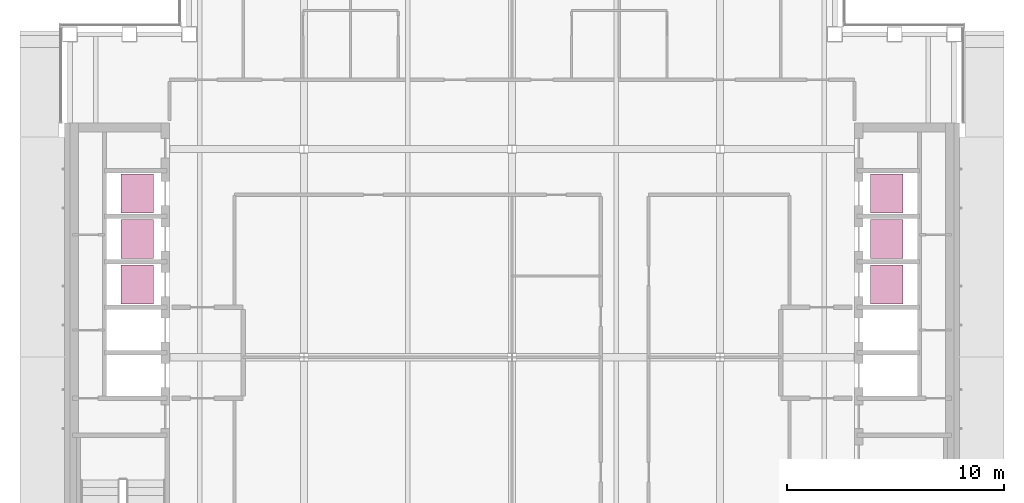
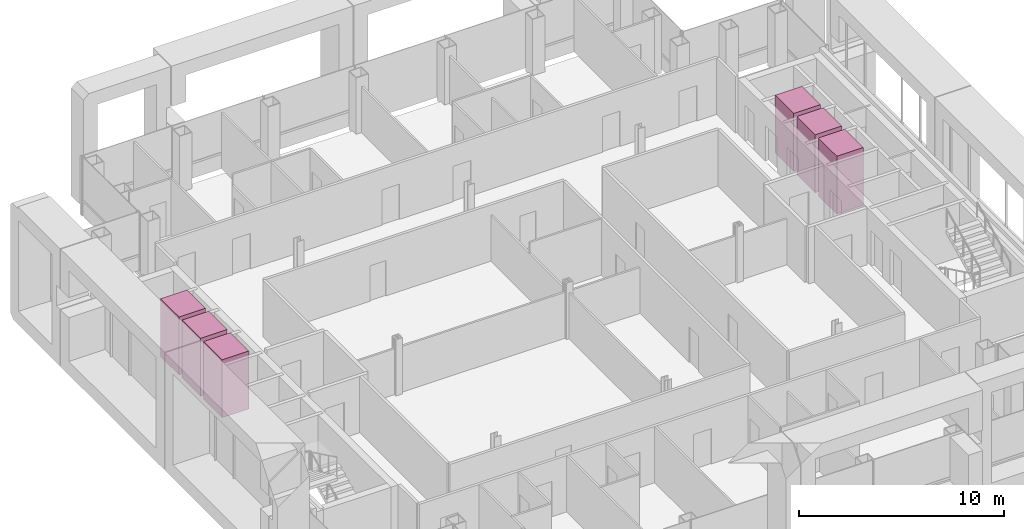
# One storey, part 19 of 19: 6 transport elements.
"""IFC4 building model written with IfcOpenShell, lengths in metres."""

from ifc_helpers import new_model, si_unit, direction, frame, origin, origin_2d, place, context, subcontext, project, spatial, rectangle, extrude, material, type_object, element, save


model = new_model("IFC4")

# Units and contexts
model_context = context("Model", 3, precision=1e-05, world=origin(), true_north=direction((0.0, 1.0)))
body_context = subcontext(model_context, "Body", "Model", "MODEL_VIEW")
ifc_project = project(units=[si_unit("LENGTHUNIT", "METRE"), si_unit("AREAUNIT", "SQUARE_METRE"), si_unit("VOLUMEUNIT", "CUBIC_METRE"), si_unit("PLANEANGLEUNIT", "RADIAN"), si_unit("MASSUNIT", "GRAM", prefix="KILO")], contexts=[model_context])

# Site, building, storey
site_placement = place(None, origin())
site = spatial("IfcSite", under=ifc_project, at=site_placement, CompositionType="ELEMENT")
building_placement = place(site_placement, origin())
building = spatial("IfcBuilding", under=site, at=building_placement, Name="Cobrizo Arcos Hotel Tower", CompositionType="ELEMENT")
storey_placement = place(building_placement, frame((0.0, 0.0, 205.0)))
storey = spatial("IfcBuildingStorey", under=building, at=storey_placement, Name="L53", CompositionType="ELEMENT", Elevation=205.0)

# Transport elements
ifc_material = material(Name="Stainless steel car", Category="steel")
transport_element_type = type_object("IfcTransportElementType", Name="Lift car High 1.8x1.5", PredefinedType="ELEVATOR", material=ifc_material)
for number, where, z_axis, x_axis, name in (
    (1, (-17.300048828125, 3.35009765625, 0.0), (0.0, 0.0, 1.0), (1.0, 0.0, 0.0), "High-rise passenger lift W1"),
    (2, (-17.300048828125, 5.449951171875, 0.0), (0.0, 0.0, 1.0), (1.0, 0.0, 0.0), "High-rise passenger lift W2"),
    (3, (-17.300048828125, 7.550048828125, 0.0), (0.0, 0.0, 1.0), (1.0, 0.0, 0.0), "High-rise passenger lift W3"),
    (4, (17.300048828125, 3.35009765625, 0.0), (0.0, 0.0, 1.0), (1.0, 0.0, 0.0), "High-rise passenger lift E1"),
    (5, (17.300048828125, 5.449951171875, 0.0), (0.0, 0.0, 1.0), (1.0, 0.0, 0.0), "High-rise passenger lift E2"),
    (6, (17.300048828125, 7.550048828125, 0.0), (0.0, 0.0, 1.0), (1.0, 0.0, 0.0), "High-rise passenger lift E3"),
):
    element("IfcTransportElement", number, at=place(storey_placement, frame(where, z_axis=z_axis, x_axis=x_axis)), inside=storey, type_object=transport_element_type, Name=name, PredefinedType="ELEVATOR", context=body_context, shape_type="SweptSolid", body=[
        extrude(rectangle(XDim=1.5, YDim=1.800048828125, at=origin_2d()), origin(), (0.0, 0.0, 1.0), 3.449951171875),
    ])

save(model, "model.ifc")
